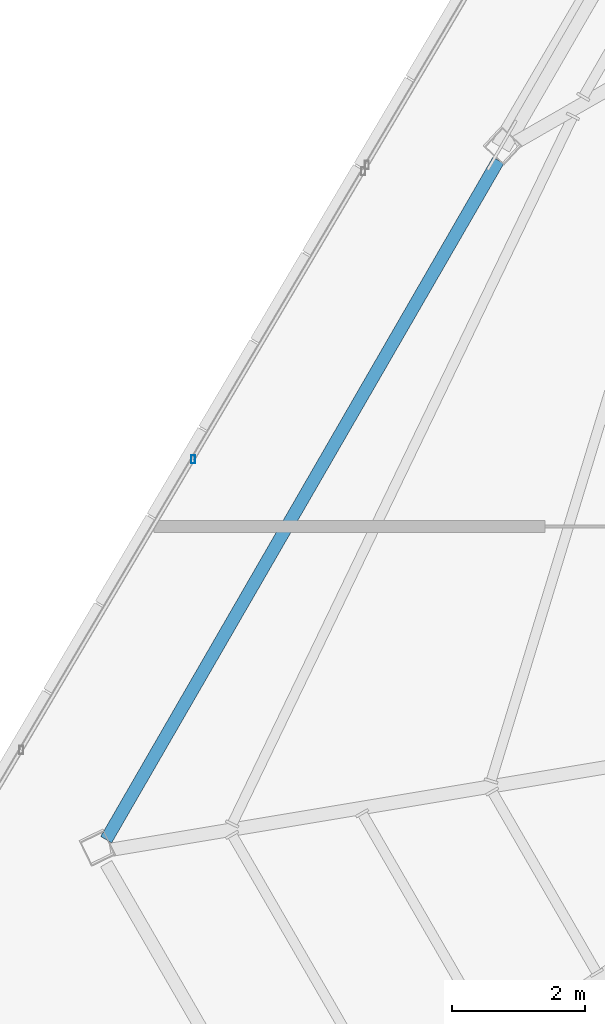
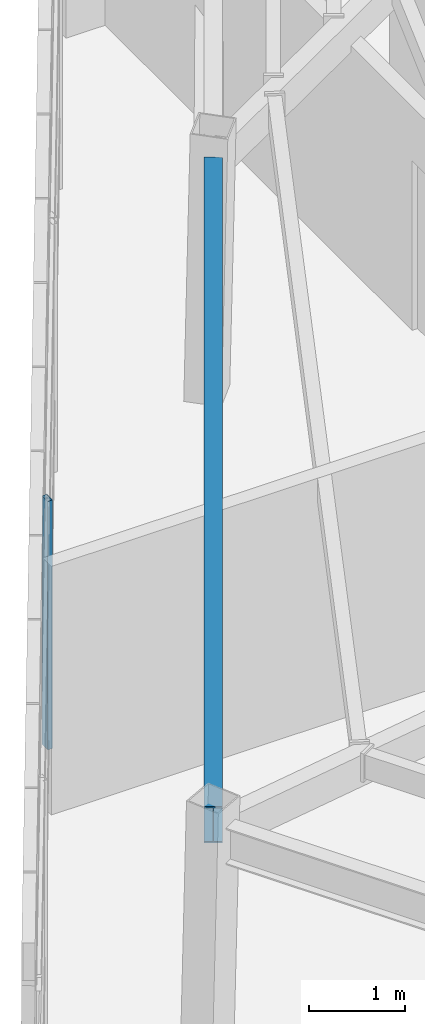
# One storey, part 9 of 47: 1 beam, 1 member, 1 element without a shape of its own.
"""IFC4 building model written with IfcOpenShell, lengths in metres."""

from ifc_helpers import new_model, si_unit, direction, frame, origin, origin_2d, place, context, subcontext, project, spatial, hollow_rectangle, i_section, extrude, source, transform, mapped, material, material_profile, profile_set, type_object, type_shapes, element, aggregate, save


model = new_model("IFC4")

# Units and contexts
model_context = context("Model", 3, precision=1e-05, world=origin(), true_north=direction((0.0, 1.0)))
body_context = subcontext(model_context, "Body", "Model", "MODEL_VIEW")
ifc_project = project(units=[si_unit("LENGTHUNIT", "METRE"), si_unit("AREAUNIT", "SQUARE_METRE"), si_unit("VOLUMEUNIT", "CUBIC_METRE"), si_unit("PLANEANGLEUNIT", "RADIAN"), si_unit("MASSUNIT", "GRAM", prefix="KILO")], contexts=[model_context])

# Site, building, storey
site_placement = place(None, origin())
site = spatial("IfcSite", under=ifc_project, at=site_placement, CompositionType="ELEMENT")
building_placement = place(site_placement, origin())
building = spatial("IfcBuilding", under=site, at=building_placement, Name="Caelisora Broadcast Tower", CompositionType="ELEMENT")
storey_placement = place(building_placement, frame((0.0, 0.0, 293.199951171875)))
storey = spatial("IfcBuildingStorey", under=building, at=storey_placement, Name="L77", CompositionType="ELEMENT", Elevation=293.199951171875)

# Beam
ifc_material_1 = material(Name="Steel Grade 350 (AS/NZS 3679.1)", Category="steel")
ifc_material_profile_1 = material_profile(ifc_material_1, i_section(OverallWidth=0.19091796875, OverallDepth=0.46044921875, WebThickness=0.010009765625, FlangeThickness=0.01611328125, at=origin_2d()), Name="Steel Grade 350 (AS/NZS 3679.1)")
ifc_profile_set_1 = profile_set([ifc_material_profile_1], Name="Steel Grade 350 (AS/NZS 3679.1)")
beam_type = type_object("IfcBeamType", Name="PG06", PredefinedType="BEAM", material=ifc_profile_set_1)
shared_shape_1 = source(origin(), body_context, "Body", "SweptSolid", [
    extrude(i_section(OverallWidth=0.19091796875, OverallDepth=0.46044921875, WebThickness=0.010009765625, FlangeThickness=0.01611328125, at=origin_2d()), origin(), (0.0, 0.0, 1.0), 11.75439453125),
])
type_shapes(beam_type, [shared_shape_1])
beam_placement = place(storey_placement, frame((22.840087890625, 25.486083984375, 2.919921875), z_axis=(-0.499996933965, -0.866027173954, 0.0), x_axis=(0.866027173954, -0.499996933965, 0.0)))
element("IfcBeam", 1, at=beam_placement, inside=storey, type_object=beam_type, Name="L77 beam PG06", PredefinedType="BEAM", context=body_context, shape_type="MappedRepresentation", body=[
    mapped(shared_shape_1, transform((0.0, 0.0, 0.0), scale=1.0)),
])

# Curtain wall, member
ifc_material_2 = material(Name="Unitised Aluminium Insulated Shadow-Box Spandrel Curtain Wall", Category="aluminium")
curtain_wall_type = type_object("IfcCurtainWallType", Name="CW-SP3", PredefinedType="NOTDEFINED", material=ifc_material_2)
curtain_wall_placement = place(storey_placement, origin())
curtain_wall = element("IfcCurtainWall", 2, at=curtain_wall_placement, inside=storey, type_object=curtain_wall_type, Name="L77 curtain wall CW-SP3", PredefinedType="NOTDEFINED")
ifc_material_3 = material(Name="Aluminium 6063-T6 Anodised Terracotta Bronze", Category="aluminium")
ifc_material_profile_2 = material_profile(ifc_material_3, hollow_rectangle(XDim=0.06005859375, YDim=0.1201171875, WallThickness=0.0029296875, at=origin_2d()), Name="Aluminium 6063-T6 Anodised Terracotta Bronze")
ifc_profile_set_2 = profile_set([ifc_material_profile_2], Name="Aluminium 6063-T6 Anodised Terracotta Bronze")
member_type = type_object("IfcMemberType", Name="CWM-04", PredefinedType="MULLION", material=ifc_profile_set_2)
shared_shape_2 = source(origin(), body_context, "Body", "SweptSolid", [
    extrude(hollow_rectangle(XDim=0.06005859375, YDim=0.1201171875, WallThickness=0.0029296875, at=origin_2d()), origin(), (0.0, 0.0, 1.0), 3.150146484375),
])
type_shapes(member_type, [shared_shape_2])
member_placement = place(storey_placement, frame((18.264892578125, 21.007080078125, 0.0), z_axis=(0.0, 0.0, 1.0), x_axis=(1.0, 0.0, 0.0)))
member = element("IfcMember", 3, at=member_placement, type_object=member_type, Name="L77-CW-B09 mullion #2", PredefinedType="MULLION", context=body_context, shape_type="MappedRepresentation", body=[
    mapped(shared_shape_2, transform((0.0, 0.0, 0.0), scale=1.0)),
])
aggregate(curtain_wall, [member])

save(model, "model.ifc")
